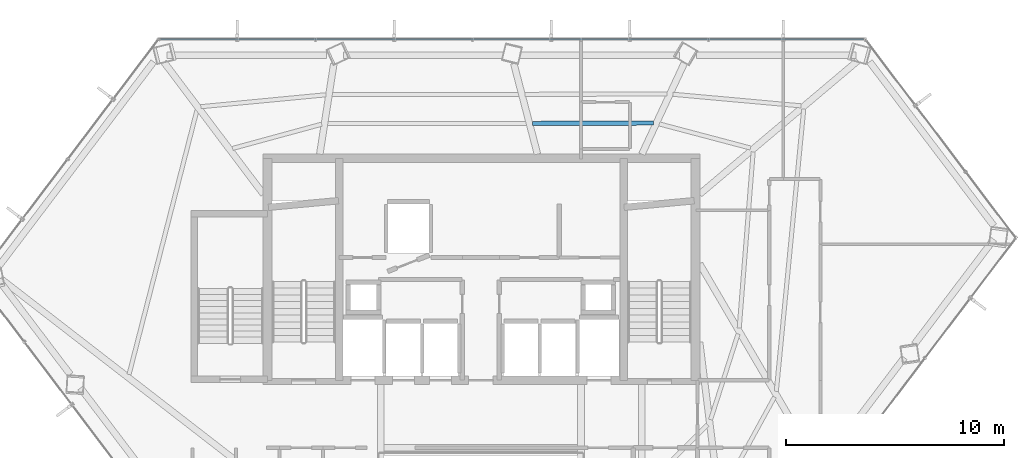
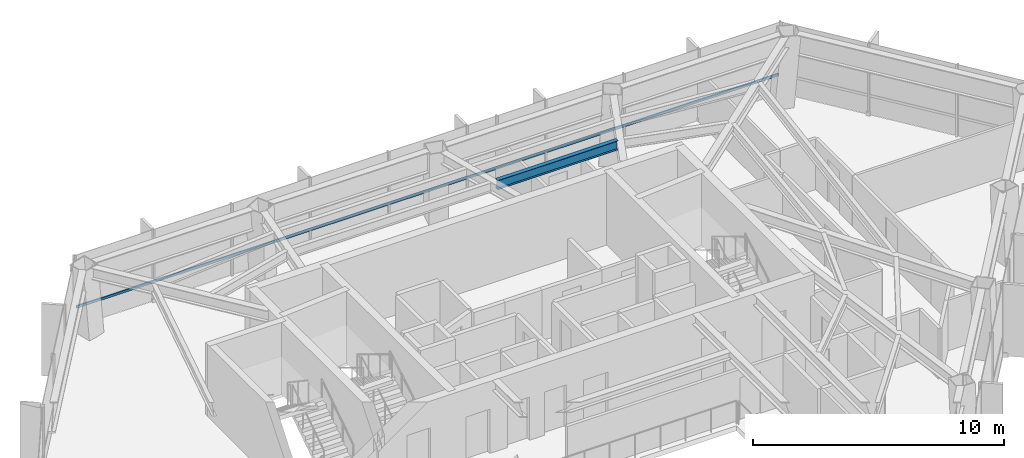
# One storey, part 16 of 30: 1 beam, 1 member, 1 element without a shape of its own.
"""IFC4 building model written with IfcOpenShell, lengths in metres."""

from ifc_helpers import new_model, si_unit, direction, frame, origin, origin_2d, place, context, subcontext, project, spatial, hollow_rectangle, i_section, extrude, material, layer, layer_set, material_profile, profile_set, type_object, element, aggregate, save


model = new_model("IFC4")

# Units and contexts
model_context = context("Model", 3, precision=1e-05, world=origin(), true_north=direction((0.0, 1.0)))
body_context = subcontext(model_context, "Body", "Model", "MODEL_VIEW")
ifc_project = project(units=[si_unit("LENGTHUNIT", "METRE"), si_unit("AREAUNIT", "SQUARE_METRE"), si_unit("VOLUMEUNIT", "CUBIC_METRE"), si_unit("PLANEANGLEUNIT", "RADIAN"), si_unit("MASSUNIT", "GRAM", prefix="KILO")], contexts=[model_context])

# Site, building, storey
site_placement = place(None, origin())
site = spatial("IfcSite", under=ifc_project, at=site_placement, CompositionType="ELEMENT")
building_placement = place(site_placement, origin())
building = spatial("IfcBuilding", under=site, at=building_placement, Name="Zarrinselat Tower", CompositionType="ELEMENT")
storey_placement = place(building_placement, frame((0.0, 0.0, 160.820068359375)))
storey = spatial("IfcBuildingStorey", under=building, at=storey_placement, Name="L39", CompositionType="ELEMENT", Elevation=160.820068359375)

# Beam
ifc_material_1 = material(Name="Steel S355J2", Category="steel")
ifc_material_profile_1 = material_profile(ifc_material_1, i_section(OverallWidth=0.18994140625, OverallDepth=0.449951171875, WebThickness=0.009521484375, FlangeThickness=0.0146484375, at=origin_2d()), Name="IPE 450")
ifc_profile_set_1 = profile_set([ifc_material_profile_1], Name="Steel S355J2")
beam_type = type_object("IfcBeamType", Name="BM-IPE450", PredefinedType="JOIST", material=ifc_profile_set_1)
beam_placement = place(storey_placement, frame((40.7705078125, 45.0546875, 3.27490234375), z_axis=(0.999999009879, 0.001407210568, 0.0), x_axis=(-0.001407210568, 0.999999009879, 0.0)))
element("IfcBeam", 1, at=beam_placement, inside=storey, type_object=beam_type, Name="L39 Composite Floor Joist 7-2", PredefinedType="JOIST", context=body_context, shape_type="SweptSolid", body=[
    extrude(i_section(OverallWidth=0.18994140625, OverallDepth=0.449951171875, WebThickness=0.009521484375, FlangeThickness=0.0146484375, at=origin_2d()), origin(), (0.0, 0.0, 1.0), 5.5517578125),
])

# Curtain wall, member
ifc_material_2 = material(Name="Extruded Aluminium Alloy EN AW-6063 T6", Category="aluminium")
ifc_layer = layer(ifc_material_2, 0.175048828125)
ifc_layer_set = layer_set([ifc_layer], Name="Extruded Aluminium Alloy EN AW-6063 T6")
curtain_wall_type = type_object("IfcCurtainWallType", Name="CWS-HTL", PredefinedType="NOTDEFINED", material=ifc_layer_set)
curtain_wall_placement = place(storey_placement, origin())
curtain_wall = element("IfcCurtainWall", 2, at=curtain_wall_placement, inside=storey, type_object=curtain_wall_type, Name="L39 Unitised Curtain Wall CW-L39-E03", PredefinedType="NOTDEFINED")
ifc_material_3 = material(Name="Extruded Aluminium Alloy EN AW-6063 T6", Category="aluminium")
ifc_material_profile_2 = material_profile(ifc_material_3, hollow_rectangle(XDim=0.06005859375, YDim=0.1201171875, WallThickness=0.00390625, at=origin_2d()), Name="RHS 120x60x4")
ifc_profile_set_2 = profile_set([ifc_material_profile_2], Name="Extruded Aluminium Alloy EN AW-6063 T6")
member_type = type_object("IfcMemberType", Name="MEM-CW-TRN2", PredefinedType="USERDEFINED", material=ifc_profile_set_2)
member_placement = place(storey_placement, frame((23.68505859375, 48.916748046875, 0.949951171875), z_axis=(1.0, 0.0, 0.0), x_axis=(0.0, 1.0, 0.0)))
member = element("IfcMember", 3, at=member_placement, type_object=member_type, Name="CW-L39-E03 Transom 1", ObjectType="TRANSOM", PredefinedType="USERDEFINED", context=body_context, shape_type="SweptSolid", body=[
    extrude(hollow_rectangle(XDim=0.06005859375, YDim=0.1201171875, WallThickness=0.00390625, at=origin_2d()), origin(), (0.0, 0.0, 1.0), 32.2900390625),
])
aggregate(curtain_wall, [member])

save(model, "model.ifc")
